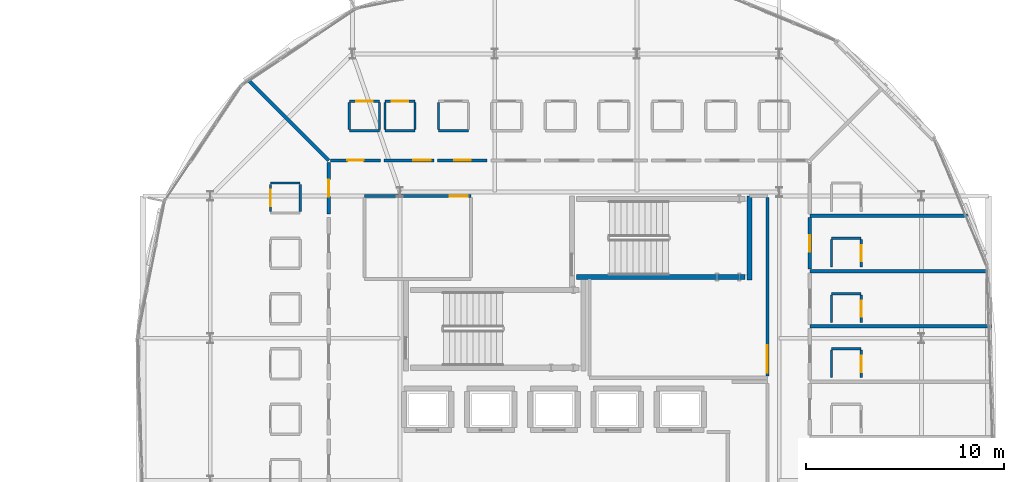
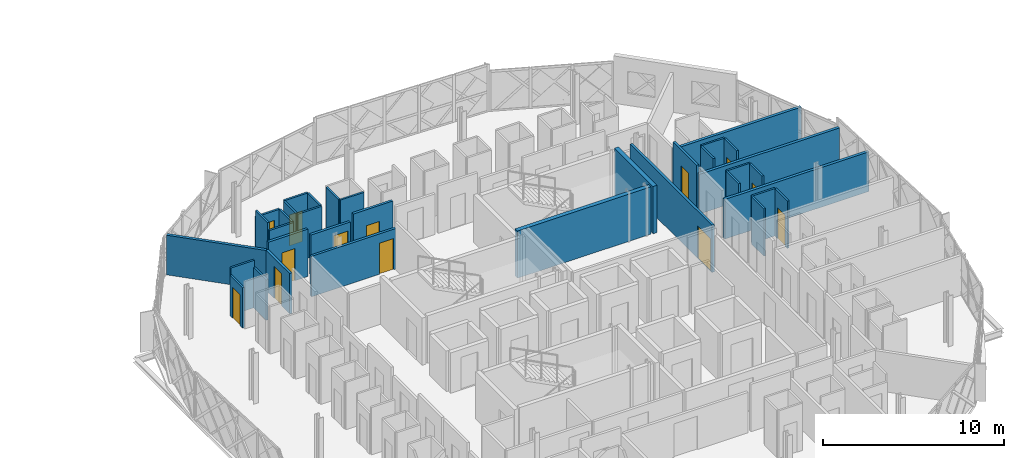
# One storey, part 19 of 26: 35 walls, 13 doors, 13 openings.
"""IFC4 building model written with IfcOpenShell, lengths in metres."""

from ifc_helpers import new_model, si_unit, direction, frame, frame_2d, origin, place, context, subcontext, project, spatial, rectangle, extrude, material, layer, layer_set, type_object, element, fill, save


model = new_model("IFC4")

# Units and contexts
model_context = context("Model", 3, precision=1e-05, world=origin(), true_north=direction((0.0, 1.0)))
body_context = subcontext(model_context, "Body", "Model", "MODEL_VIEW")
ifc_project = project(units=[si_unit("LENGTHUNIT", "METRE"), si_unit("AREAUNIT", "SQUARE_METRE"), si_unit("VOLUMEUNIT", "CUBIC_METRE"), si_unit("PLANEANGLEUNIT", "RADIAN"), si_unit("MASSUNIT", "GRAM", prefix="KILO")], contexts=[model_context])

# Site, building, storey
site_placement = place(None, origin())
site = spatial("IfcSite", under=ifc_project, at=site_placement, CompositionType="ELEMENT")
building_placement = place(site_placement, origin())
building = spatial("IfcBuilding", under=site, at=building_placement, Name="Zevrakil Square Congress Hotel", CompositionType="ELEMENT")
storey_placement = place(building_placement, frame((0.0, 0.0, 24.89990234375)))
storey = spatial("IfcBuildingStorey", under=building, at=storey_placement, Name="L07", CompositionType="ELEMENT", Elevation=24.89990234375)

# Wall, opening, door
ifc_material_1 = material(Name="Gypsum Acoustic Stud Partition")
ifc_layer_1 = layer(ifc_material_1, 0.159912109375)
ifc_layer_set_1 = layer_set([ifc_layer_1], Name="Gypsum Acoustic Stud Partition")
wall_type_1 = type_object("IfcWallType", Name="WAL-CORR-160", PredefinedType="PARTITIONING", material=ifc_layer_set_1)
wall_1_placement = place(storey_placement, frame((135.0, 38.39990234375, 0.0), z_axis=(0.0, 0.0, 1.0), x_axis=(1.0, 0.0, 0.0)))
wall_1 = element("IfcWall", 1, at=wall_1_placement, inside=storey, type_object=wall_type_1, Name="L07 interior partition PW-L07-0928", PredefinedType="PARTITIONING", context=body_context, shape_type="SweptSolid", body=[
    extrude(rectangle(XDim=5.39990234375, YDim=0.159912109375, at=frame_2d((2.699951171875, 0.0))), origin(), (0.0, 0.0, 1.0), 2.72509765625),
])
opening_1_placement = place(wall_1_placement, frame((4.320068359375, 0.0, 0.0)))
opening_1 = element("IfcOpeningElement", 2, at=opening_1_placement, cuts=wall_1, Name="Opening ID-07", PredefinedType="OPENING", context=body_context, shape_type="SweptSolid", body=[
    extrude(rectangle(XDim=0.919921875, YDim=2.10009765625, at=frame_2d((0.4599609375, 1.050048828125))), frame((0.0, 0.08984375, 0.0), z_axis=(0.0, -1.0, 0.0), x_axis=(1.0, 0.0, 0.0)), (0.0, 0.0, 1.0), 0.179931640625),
])
ifc_material_2 = material(Name="Accessible Restroom Door")
door_type_1 = type_object("IfcDoorType", Name="DOR-WC-092", OperationType="NOTDEFINED", PredefinedType="DOOR", material=ifc_material_2)
door_1_placement = place(opening_1_placement, origin())
door_1 = element("IfcDoor", 3, at=door_1_placement, inside=storey, type_object=door_type_1, Name="L07 interior door 366", OperationType="SINGLE_SWING_RIGHT", OverallHeight=2.10009765625, OverallWidth=0.919921875, PredefinedType="DOOR", context=body_context, shape_type="SweptSolid", body=[
    extrude(rectangle(XDim=0.919921875, YDim=2.10009765625, at=frame_2d((0.4599609375, 1.050048828125))), frame((0.0, 0.02490234375, 0.0), z_axis=(0.0, -1.0, 0.0), x_axis=(1.0, 0.0, 0.0)), (0.0, 0.0, 1.0), 0.050048828125),
])
fill(opening_1, door_1)

wall_2_placement = place(storey_placement, frame((155.39990234375, 29.284912109375, 0.0), z_axis=(0.0, 0.0, 1.0), x_axis=(0.0, 1.0, 0.0)))
wall_2 = element("IfcWall", 4, at=wall_2_placement, inside=storey, type_object=wall_type_1, Name="L07 interior partition PW-L07-0934", PredefinedType="PARTITIONING", context=body_context, shape_type="SweptSolid", body=[
    extrude(rectangle(XDim=9.030029296875, YDim=0.159912109375, at=frame_2d((4.51513671875, 0.0))), origin(), (0.0, 0.0, 1.0), 3.190185546875),
])
opening_2_placement = place(wall_2_placement, frame((0.159912109375, 0.0, 0.0)))
opening_2 = element("IfcOpeningElement", 5, at=opening_2_placement, cuts=wall_2, Name="Opening ID-09", PredefinedType="OPENING", context=body_context, shape_type="SweptSolid", body=[
    extrude(rectangle(XDim=1.39990234375, YDim=2.199951171875, at=frame_2d((0.699951171875, 1.10009765625))), frame((0.0, 0.08984375, 0.0), z_axis=(0.0, -1.0, 0.0), x_axis=(1.0, 0.0, 0.0)), (0.0, 0.0, 1.0), 0.179931640625),
])
ifc_material_3 = material(Name="Steel S355 Louvred Plant Fire Door", Category="steel")
door_type_2 = type_object("IfcDoorType", Name="DOR-PLANT-140", OperationType="NOTDEFINED", PredefinedType="DOOR", material=ifc_material_3)
door_2_placement = place(opening_2_placement, origin())
door_2 = element("IfcDoor", 6, at=door_2_placement, inside=storey, type_object=door_type_2, Name="L07 interior door 367", OperationType="SINGLE_SWING_LEFT", OverallHeight=2.199951171875, OverallWidth=1.39990234375, PredefinedType="DOOR", context=body_context, shape_type="SweptSolid", body=[
    extrude(rectangle(XDim=1.39990234375, YDim=2.199951171875, at=frame_2d((0.699951171875, 1.10009765625))), frame((0.0, 0.02490234375, 0.0), z_axis=(0.0, -1.0, 0.0), x_axis=(1.0, 0.0, 0.0)), (0.0, 0.0, 1.0), 0.050048828125),
])
fill(opening_2, door_2)

wall_3_placement = place(storey_placement, frame((157.550048828125, 34.695068359375, 0.0), z_axis=(0.0, 0.0, 1.0), x_axis=(0.0, 1.0, 0.0)))
wall_3 = element("IfcWall", 7, at=wall_3_placement, inside=storey, type_object=wall_type_1, Name="L07 interior partition PW-L07-1010", PredefinedType="PARTITIONING", context=body_context, shape_type="SweptSolid", body=[
    extrude(rectangle(XDim=2.60986328125, YDim=0.159912109375, at=frame_2d((1.304931640625, 0.0))), origin(), (0.0, 0.0, 1.0), 3.190185546875),
])
opening_3_placement = place(wall_3_placement, frame((0.889892578125, 0.0, 0.0)))
opening_3 = element("IfcOpeningElement", 8, at=opening_3_placement, cuts=wall_3, Name="Opening ID-G10", PredefinedType="OPENING", context=body_context, shape_type="SweptSolid", body=[
    extrude(rectangle(XDim=0.830078125, YDim=2.110107421875, at=frame_2d((0.4150390625, 1.05517578125))), frame((0.0, 0.08984375, 0.0), z_axis=(0.0, -1.0, 0.0), x_axis=(1.0, 0.0, 0.0)), (0.0, 0.0, 1.0), 0.179931640625),
])
ifc_material_4 = material(Name="Acoustic Timber Fire Door", Category="wood")
door_type_3 = type_object("IfcDoorType", Name="DOR-INT-G10", OperationType="NOTDEFINED", PredefinedType="DOOR", material=ifc_material_4)
door_3_placement = place(opening_3_placement, origin())
door_3 = element("IfcDoor", 9, at=door_3_placement, inside=storey, type_object=door_type_3, Name="L07 interior door 396", OperationType="SINGLE_SWING_RIGHT", OverallHeight=2.110107421875, OverallWidth=0.830078125, PredefinedType="DOOR", context=body_context, shape_type="SweptSolid", body=[
    extrude(rectangle(XDim=0.830078125, YDim=2.110107421875, at=frame_2d((0.4150390625, 1.05517578125))), frame((0.0, 0.02490234375, 0.0), z_axis=(0.0, -1.0, 0.0), x_axis=(1.0, 0.0, 0.0)), (0.0, 0.0, 1.0), 0.050048828125),
])
fill(opening_3, door_3)

wall_4_placement = place(storey_placement, frame((138.7060546875, 40.199951171875, 0.0), z_axis=(0.0, 0.0, 1.0), x_axis=(1.0, 0.0, 0.0)))
wall_4 = element("IfcWall", 10, at=wall_4_placement, inside=storey, type_object=wall_type_1, Name="L07 interior partition PW-L07-1050", PredefinedType="PARTITIONING", context=body_context, shape_type="SweptSolid", body=[
    extrude(rectangle(XDim=2.515625, YDim=0.159912109375, at=frame_2d((1.2578125, 0.0))), origin(), (0.0, 0.0, 1.0), 3.190185546875),
])
opening_4_placement = place(wall_4_placement, frame((0.8427734375, 0.0, 0.0)))
opening_4 = element("IfcOpeningElement", 11, at=opening_4_placement, cuts=wall_4, Name="Opening ID-G10", PredefinedType="OPENING", context=body_context, shape_type="SweptSolid", body=[
    extrude(rectangle(XDim=0.830078125, YDim=2.110107421875, at=frame_2d((0.4150390625, 1.05517578125))), frame((0.0, 0.08984375, 0.0), z_axis=(0.0, -1.0, 0.0), x_axis=(1.0, 0.0, 0.0)), (0.0, 0.0, 1.0), 0.179931640625),
])
door_4_placement = place(opening_4_placement, origin())
door_4 = element("IfcDoor", 12, at=door_4_placement, inside=storey, type_object=door_type_3, Name="L07 interior door 412", OperationType="SINGLE_SWING_RIGHT", OverallHeight=2.110107421875, OverallWidth=0.830078125, PredefinedType="DOOR", context=body_context, shape_type="SweptSolid", body=[
    extrude(rectangle(XDim=0.830078125, YDim=2.110107421875, at=frame_2d((0.4150390625, 1.05517578125))), frame((0.0, 0.02490234375, 0.0), z_axis=(0.0, -1.0, 0.0), x_axis=(1.0, 0.0, 0.0)), (0.0, 0.0, 1.0), 0.050048828125),
])
fill(opening_4, door_4)

wall_5_placement = place(storey_placement, frame((136.00048828125, 40.199951171875, 0.0), z_axis=(0.0, 0.0, 1.0), x_axis=(1.0, 0.0, 0.0)))
wall_5 = element("IfcWall", 13, at=wall_5_placement, inside=storey, type_object=wall_type_1, Name="L07 interior partition PW-L07-1055", PredefinedType="PARTITIONING", context=body_context, shape_type="SweptSolid", body=[
    extrude(rectangle(XDim=2.515625, YDim=0.159912109375, at=frame_2d((1.2578125, 0.0))), origin(), (0.0, 0.0, 1.0), 2.72509765625),
])
opening_5_placement = place(wall_5_placement, frame((1.4794921875, 0.0, 0.0)))
opening_5 = element("IfcOpeningElement", 14, at=opening_5_placement, cuts=wall_5, Name="Opening ID-H03", PredefinedType="OPENING", context=body_context, shape_type="SweptSolid", body=[
    extrude(rectangle(XDim=0.8759765625, YDim=2.159912109375, at=frame_2d((0.43798828125, 1.080078125))), frame((0.0, 0.08984375, 0.0), z_axis=(0.0, -1.0, 0.0), x_axis=(1.0, 0.0, 0.0)), (0.0, 0.0, 1.0), 0.179931640625),
])
ifc_material_5 = material(Name="Acoustic Timber Fire Door", Category="wood")
door_type_4 = type_object("IfcDoorType", Name="DOR-INT-H03", OperationType="NOTDEFINED", PredefinedType="DOOR", material=ifc_material_5)
door_5_placement = place(opening_5_placement, origin())
door_5 = element("IfcDoor", 15, at=door_5_placement, inside=storey, type_object=door_type_4, Name="L07 interior door 414", OperationType="SINGLE_SWING_RIGHT", OverallHeight=2.159912109375, OverallWidth=0.8759765625, PredefinedType="DOOR", context=body_context, shape_type="SweptSolid", body=[
    extrude(rectangle(XDim=0.8759765625, YDim=2.159912109375, at=frame_2d((0.43798828125, 1.080078125))), frame((0.0, 0.02490234375, 0.0), z_axis=(0.0, -1.0, 0.0), x_axis=(1.0, 0.0, 0.0)), (0.0, 0.0, 1.0), 0.050048828125),
])
fill(opening_5, door_5)

wall_6_placement = place(storey_placement, frame((133.294921875, 40.199951171875, 0.0), z_axis=(0.0, 0.0, 1.0), x_axis=(1.0, 0.0, 0.0)))
wall_6 = element("IfcWall", 16, at=wall_6_placement, inside=storey, type_object=wall_type_1, Name="L07 interior partition PW-L07-1060", PredefinedType="PARTITIONING", context=body_context, shape_type="SweptSolid", body=[
    extrude(rectangle(XDim=2.515625, YDim=0.159912109375, at=frame_2d((1.2578125, 0.0))), origin(), (0.0, 0.0, 1.0), 3.190185546875),
])
opening_6_placement = place(wall_6_placement, frame((0.8427734375, 0.0, 0.0)))
opening_6 = element("IfcOpeningElement", 17, at=opening_6_placement, cuts=wall_6, Name="Opening ID-G20", PredefinedType="OPENING", context=body_context, shape_type="SweptSolid", body=[
    extrude(rectangle(XDim=0.830078125, YDim=2.169921875, at=frame_2d((0.4150390625, 1.0849609375))), frame((0.0, 0.08984375, 0.0), z_axis=(0.0, -1.0, 0.0), x_axis=(1.0, 0.0, 0.0)), (0.0, 0.0, 1.0), 0.179931640625),
])
ifc_material_6 = material(Name="Acoustic Timber Fire Door", Category="wood")
door_type_5 = type_object("IfcDoorType", Name="DOR-INT-G20", OperationType="NOTDEFINED", PredefinedType="DOOR", material=ifc_material_6)
door_6_placement = place(opening_6_placement, origin())
door_6 = element("IfcDoor", 18, at=door_6_placement, inside=storey, type_object=door_type_5, Name="L07 interior door 416", OperationType="SINGLE_SWING_RIGHT", OverallHeight=2.169921875, OverallWidth=0.830078125, PredefinedType="DOOR", context=body_context, shape_type="SweptSolid", body=[
    extrude(rectangle(XDim=0.830078125, YDim=2.169921875, at=frame_2d((0.4150390625, 1.0849609375))), frame((0.0, 0.02490234375, 0.0), z_axis=(0.0, -1.0, 0.0), x_axis=(1.0, 0.0, 0.0)), (0.0, 0.0, 1.0), 0.050048828125),
])
fill(opening_6, door_6)

wall_7_placement = place(storey_placement, frame((133.199951171875, 37.4951171875, 0.0), z_axis=(0.0, 0.0, 1.0), x_axis=(0.0, 1.0, 0.0)))
wall_7 = element("IfcWall", 19, at=wall_7_placement, inside=storey, type_object=wall_type_1, Name="L07 interior partition PW-L07-1066", PredefinedType="PARTITIONING", context=body_context, shape_type="SweptSolid", body=[
    extrude(rectangle(XDim=2.60986328125, YDim=0.159912109375, at=frame_2d((1.304931640625, 0.0))), origin(), (0.0, 0.0, 1.0), 2.72509765625),
])
opening_7_placement = place(wall_7_placement, frame((0.87744140625, 0.0, 0.0)))
opening_7 = element("IfcOpeningElement", 20, at=opening_7_placement, cuts=wall_7, Name="Opening ID-G21", PredefinedType="OPENING", context=body_context, shape_type="SweptSolid", body=[
    extrude(rectangle(XDim=0.85498046875, YDim=2.169921875, at=frame_2d((0.427490234375, 1.0849609375))), frame((0.0, 0.08984375, 0.0), z_axis=(0.0, -1.0, 0.0), x_axis=(1.0, 0.0, 0.0)), (0.0, 0.0, 1.0), 0.179931640625),
])
ifc_material_7 = material(Name="Acoustic Timber Fire Door", Category="wood")
door_type_6 = type_object("IfcDoorType", Name="DOR-INT-G21", OperationType="NOTDEFINED", PredefinedType="DOOR", material=ifc_material_7)
door_7_placement = place(opening_7_placement, origin())
door_7 = element("IfcDoor", 21, at=door_7_placement, inside=storey, type_object=door_type_6, Name="L07 interior door 418", OperationType="SINGLE_SWING_RIGHT", OverallHeight=2.169921875, OverallWidth=0.85498046875, PredefinedType="DOOR", context=body_context, shape_type="SweptSolid", body=[
    extrude(rectangle(XDim=0.85498046875, YDim=2.169921875, at=frame_2d((0.427490234375, 1.0849609375))), frame((0.0, 0.02490234375, 0.0), z_axis=(0.0, -1.0, 0.0), x_axis=(1.0, 0.0, 0.0)), (0.0, 0.0, 1.0), 0.050048828125),
])
fill(opening_7, door_7)

# Walls
ifc_material_8 = material(Name="Moisture-Resistant Gypsum Partition")
ifc_layer_2 = layer(ifc_material_8, 0.1201171875)
ifc_layer_set_2 = layer_set([ifc_layer_2], Name="Moisture-Resistant Gypsum Partition")
wall_type_2 = type_object("IfcWallType", Name="WAL-ENS-120", PredefinedType="PARTITIONING", material=ifc_layer_set_2)
wall_8_placement = place(storey_placement, frame((158.64990234375, 30.659912109375, 0.0), z_axis=(0.0, 0.0, 1.0), x_axis=(1.0, 0.0, 0.0)))
element("IfcWall", 22, at=wall_8_placement, inside=storey, type_object=wall_type_2, Name="L07 interior partition PW-L07-1001", PredefinedType="PARTITIONING", context=body_context, shape_type="SweptSolid", body=[
    extrude(rectangle(XDim=1.5, YDim=0.1201171875, at=frame_2d((0.75, 0.0))), origin(), (0.0, 0.0, 1.0), 3.190185546875),
])
wall_9_placement = place(storey_placement, frame((158.64990234375, 29.205078125, 0.0), z_axis=(0.0, 0.0, 1.0), x_axis=(0.0, 1.0, 0.0)))
element("IfcWall", 23, at=wall_9_placement, inside=storey, type_object=wall_type_2, Name="L07 interior partition PW-L07-1002", PredefinedType="PARTITIONING", context=body_context, shape_type="SweptSolid", body=[
    extrude(rectangle(XDim=1.389892578125, YDim=0.1201171875, at=frame_2d((0.69482421875, 0.0))), origin(), (0.0, 0.0, 1.0), 3.190185546875),
])

# Wall, opening, door
wall_10_placement = place(storey_placement, frame((160.14990234375, 29.205078125, 0.0), z_axis=(0.0, 0.0, 1.0), x_axis=(0.0, 1.0, 0.0)))
wall_10 = element("IfcWall", 24, at=wall_10_placement, inside=storey, type_object=wall_type_2, Name="L07 interior partition PW-L07-1003", PredefinedType="PARTITIONING", context=body_context, shape_type="SweptSolid", body=[
    extrude(rectangle(XDim=1.389892578125, YDim=0.1201171875, at=frame_2d((0.69482421875, 0.0))), origin(), (0.0, 0.0, 1.0), 3.190185546875),
])
opening_8_placement = place(wall_10_placement, frame((0.284912109375, 0.0, 0.0)))
opening_8 = element("IfcOpeningElement", 25, at=opening_8_placement, cuts=wall_10, Name="Opening ID-11", PredefinedType="OPENING", context=body_context, shape_type="SweptSolid", body=[
    extrude(rectangle(XDim=0.820068359375, YDim=2.080078125, at=frame_2d((0.41015625, 1.0400390625))), frame((0.0, 0.070068359375, 0.0), z_axis=(0.0, -1.0, 0.0), x_axis=(1.0, 0.0, 0.0)), (0.0, 0.0, 1.0), 0.14013671875),
])
ifc_material_9 = material(Name="Acoustic Timber Door", Category="wood")
door_type_7 = type_object("IfcDoorType", Name="DOR-INT-V01", OperationType="NOTDEFINED", PredefinedType="DOOR", material=ifc_material_9)
door_8_placement = place(opening_8_placement, origin())
door_8 = element("IfcDoor", 26, at=door_8_placement, inside=storey, type_object=door_type_7, Name="L07 interior door 393", OperationType="SINGLE_SWING_LEFT", OverallHeight=2.080078125, OverallWidth=0.820068359375, PredefinedType="DOOR", context=body_context, shape_type="SweptSolid", body=[
    extrude(rectangle(XDim=0.820068359375, YDim=2.080078125, at=frame_2d((0.41015625, 1.0400390625))), frame((0.0, 0.02490234375, 0.0), z_axis=(0.0, -1.0, 0.0), x_axis=(1.0, 0.0, 0.0)), (0.0, 0.0, 1.0), 0.050048828125),
])
fill(opening_8, door_8)

# Walls
wall_11_placement = place(storey_placement, frame((158.64990234375, 33.4599609375, 0.0), z_axis=(0.0, 0.0, 1.0), x_axis=(1.0, 0.0, 0.0)))
element("IfcWall", 27, at=wall_11_placement, inside=storey, type_object=wall_type_2, Name="L07 interior partition PW-L07-1006", PredefinedType="PARTITIONING", context=body_context, shape_type="SweptSolid", body=[
    extrude(rectangle(XDim=1.5, YDim=0.1201171875, at=frame_2d((0.75, 0.0))), origin(), (0.0, 0.0, 1.0), 3.190185546875),
])
wall_12_placement = place(storey_placement, frame((158.64990234375, 32.0048828125, 0.0), z_axis=(0.0, 0.0, 1.0), x_axis=(0.0, 1.0, 0.0)))
element("IfcWall", 28, at=wall_12_placement, inside=storey, type_object=wall_type_2, Name="L07 interior partition PW-L07-1007", PredefinedType="PARTITIONING", context=body_context, shape_type="SweptSolid", body=[
    extrude(rectangle(XDim=1.39013671875, YDim=0.1201171875, at=frame_2d((0.695068359375, 0.0))), origin(), (0.0, 0.0, 1.0), 3.190185546875),
])

# Wall, opening, door
wall_13_placement = place(storey_placement, frame((160.14990234375, 32.0048828125, 0.0), z_axis=(0.0, 0.0, 1.0), x_axis=(0.0, 1.0, 0.0)))
wall_13 = element("IfcWall", 29, at=wall_13_placement, inside=storey, type_object=wall_type_2, Name="L07 interior partition PW-L07-1008", PredefinedType="PARTITIONING", context=body_context, shape_type="SweptSolid", body=[
    extrude(rectangle(XDim=1.39013671875, YDim=0.1201171875, at=frame_2d((0.695068359375, 0.0))), origin(), (0.0, 0.0, 1.0), 3.190185546875),
])
opening_9_placement = place(wall_13_placement, frame((0.284912109375, 0.0, 0.0)))
opening_9 = element("IfcOpeningElement", 30, at=opening_9_placement, cuts=wall_13, Name="Opening ID-11", PredefinedType="OPENING", context=body_context, shape_type="SweptSolid", body=[
    extrude(rectangle(XDim=0.820068359375, YDim=2.080078125, at=frame_2d((0.41015625, 1.0400390625))), frame((0.0, 0.070068359375, 0.0), z_axis=(0.0, -1.0, 0.0), x_axis=(1.0, 0.0, 0.0)), (0.0, 0.0, 1.0), 0.14013671875),
])
door_9_placement = place(opening_9_placement, origin())
door_9 = element("IfcDoor", 31, at=door_9_placement, inside=storey, type_object=door_type_7, Name="L07 interior door 395", OperationType="SINGLE_SWING_LEFT", OverallHeight=2.080078125, OverallWidth=0.820068359375, PredefinedType="DOOR", context=body_context, shape_type="SweptSolid", body=[
    extrude(rectangle(XDim=0.820068359375, YDim=2.080078125, at=frame_2d((0.41015625, 1.0400390625))), frame((0.0, 0.02490234375, 0.0), z_axis=(0.0, -1.0, 0.0), x_axis=(1.0, 0.0, 0.0)), (0.0, 0.0, 1.0), 0.050048828125),
])
fill(opening_9, door_9)

# Walls
wall_14_placement = place(storey_placement, frame((158.64990234375, 36.260009765625, 0.0), z_axis=(0.0, 0.0, 1.0), x_axis=(1.0, 0.0, 0.0)))
element("IfcWall", 32, at=wall_14_placement, inside=storey, type_object=wall_type_2, Name="L07 interior partition PW-L07-1011", PredefinedType="PARTITIONING", context=body_context, shape_type="SweptSolid", body=[
    extrude(rectangle(XDim=1.5, YDim=0.1201171875, at=frame_2d((0.75, 0.0))), origin(), (0.0, 0.0, 1.0), 3.190185546875),
])
wall_15_placement = place(storey_placement, frame((158.64990234375, 34.804931640625, 0.0), z_axis=(0.0, 0.0, 1.0), x_axis=(0.0, 1.0, 0.0)))
element("IfcWall", 33, at=wall_15_placement, inside=storey, type_object=wall_type_2, Name="L07 interior partition PW-L07-1012", PredefinedType="PARTITIONING", context=body_context, shape_type="SweptSolid", body=[
    extrude(rectangle(XDim=1.39013671875, YDim=0.1201171875, at=frame_2d((0.695068359375, 0.0))), origin(), (0.0, 0.0, 1.0), 3.190185546875),
])

# Wall, opening, door
wall_16_placement = place(storey_placement, frame((160.14990234375, 34.804931640625, 0.0), z_axis=(0.0, 0.0, 1.0), x_axis=(0.0, 1.0, 0.0)))
wall_16 = element("IfcWall", 34, at=wall_16_placement, inside=storey, type_object=wall_type_2, Name="L07 interior partition PW-L07-1013", PredefinedType="PARTITIONING", context=body_context, shape_type="SweptSolid", body=[
    extrude(rectangle(XDim=1.39013671875, YDim=0.1201171875, at=frame_2d((0.695068359375, 0.0))), origin(), (0.0, 0.0, 1.0), 3.190185546875),
])
opening_10_placement = place(wall_16_placement, frame((0.284912109375, 0.0, 0.0)))
opening_10 = element("IfcOpeningElement", 35, at=opening_10_placement, cuts=wall_16, Name="Opening ID-11", PredefinedType="OPENING", context=body_context, shape_type="SweptSolid", body=[
    extrude(rectangle(XDim=0.820068359375, YDim=2.080078125, at=frame_2d((0.41015625, 1.0400390625))), frame((0.0, 0.070068359375, 0.0), z_axis=(0.0, -1.0, 0.0), x_axis=(1.0, 0.0, 0.0)), (0.0, 0.0, 1.0), 0.14013671875),
])
door_10_placement = place(opening_10_placement, origin())
door_10 = element("IfcDoor", 36, at=door_10_placement, inside=storey, type_object=door_type_7, Name="L07 interior door 397", OperationType="SINGLE_SWING_LEFT", OverallHeight=2.080078125, OverallWidth=0.820068359375, PredefinedType="DOOR", context=body_context, shape_type="SweptSolid", body=[
    extrude(rectangle(XDim=0.820068359375, YDim=2.080078125, at=frame_2d((0.41015625, 1.0400390625))), frame((0.0, 0.02490234375, 0.0), z_axis=(0.0, -1.0, 0.0), x_axis=(1.0, 0.0, 0.0)), (0.0, 0.0, 1.0), 0.050048828125),
])
fill(opening_10, door_10)

# Walls
wall_17_placement = place(storey_placement, frame((138.751220703125, 41.699951171875, 0.0), z_axis=(0.0, 0.0, 1.0), x_axis=(1.0, 0.0, 0.0)))
element("IfcWall", 37, at=wall_17_placement, inside=storey, type_object=wall_type_2, Name="L07 interior partition PW-L07-1051", PredefinedType="PARTITIONING", context=body_context, shape_type="SweptSolid", body=[
    extrude(rectangle(XDim=1.519775390625, YDim=0.1201171875, at=frame_2d((0.759765625, 0.0))), origin(), (0.0, 0.0, 1.0), 3.190185546875),
])
wall_18_placement = place(storey_placement, frame((138.751220703125, 41.764892578125, 0.0), z_axis=(0.0, 0.0, 1.0), x_axis=(0.0, 1.0, 0.0)))
element("IfcWall", 38, at=wall_18_placement, inside=storey, type_object=wall_type_2, Name="L07 interior partition PW-L07-1053", PredefinedType="PARTITIONING", context=body_context, shape_type="SweptSolid", body=[
    extrude(rectangle(XDim=1.3701171875, YDim=0.1201171875, at=frame_2d((0.68505859375, 0.0))), origin(), (0.0, 0.0, 1.0), 3.190185546875),
])
wall_19_placement = place(storey_placement, frame((136.04541015625, 41.699951171875, 0.0), z_axis=(0.0, 0.0, 1.0), x_axis=(1.0, 0.0, 0.0)))
element("IfcWall", 39, at=wall_19_placement, inside=storey, type_object=wall_type_2, Name="L07 interior partition PW-L07-1056", PredefinedType="PARTITIONING", context=body_context, shape_type="SweptSolid", body=[
    extrude(rectangle(XDim=1.52001953125, YDim=0.1201171875, at=frame_2d((0.760009765625, 0.0))), origin(), (0.0, 0.0, 1.0), 3.190185546875),
])

# Wall, opening, door
wall_20_placement = place(storey_placement, frame((136.04541015625, 43.199951171875, 0.0), z_axis=(0.0, 0.0, 1.0), x_axis=(1.0, 0.0, 0.0)))
wall_20 = element("IfcWall", 40, at=wall_20_placement, inside=storey, type_object=wall_type_2, Name="L07 interior partition PW-L07-1057", PredefinedType="PARTITIONING", context=body_context, shape_type="SweptSolid", body=[
    extrude(rectangle(XDim=1.52001953125, YDim=0.1201171875, at=frame_2d((0.760009765625, 0.0))), origin(), (0.0, 0.0, 1.0), 3.190185546875),
])
opening_11_placement = place(wall_20_placement, frame((0.35009765625, 0.0, 0.0)))
opening_11 = element("IfcOpeningElement", 41, at=opening_11_placement, cuts=wall_20, Name="Opening ID-11", PredefinedType="OPENING", context=body_context, shape_type="SweptSolid", body=[
    extrude(rectangle(XDim=0.820068359375, YDim=2.080078125, at=frame_2d((0.41015625, 1.0400390625))), frame((0.0, 0.070068359375, 0.0), z_axis=(0.0, -1.0, 0.0), x_axis=(1.0, 0.0, 0.0)), (0.0, 0.0, 1.0), 0.14013671875),
])
door_11_placement = place(opening_11_placement, origin())
door_11 = element("IfcDoor", 42, at=door_11_placement, inside=storey, type_object=door_type_7, Name="L07 interior door 415", OperationType="SINGLE_SWING_LEFT", OverallHeight=2.080078125, OverallWidth=0.820068359375, PredefinedType="DOOR", context=body_context, shape_type="SweptSolid", body=[
    extrude(rectangle(XDim=0.820068359375, YDim=2.080078125, at=frame_2d((0.41015625, 1.0400390625))), frame((0.0, 0.02490234375, 0.0), z_axis=(0.0, -1.0, 0.0), x_axis=(1.0, 0.0, 0.0)), (0.0, 0.0, 1.0), 0.050048828125),
])
fill(opening_11, door_11)

# Walls
for number, where, z_axis, x_axis, name in (
    (43, (136.04541015625, 41.764892578125, 0.0), (0.0, 0.0, 1.0), (0.0, 1.0, 0.0), "L07 interior partition PW-L07-1058"),
    (44, (137.5654296875, 41.764892578125, 0.0), (0.0, 0.0, 1.0), (0.0, 1.0, 0.0), "L07 interior partition PW-L07-1059"),
):
    element("IfcWall", number, at=place(storey_placement, frame(where, z_axis=z_axis, x_axis=x_axis)), inside=storey, type_object=wall_type_2, Name=name, PredefinedType="PARTITIONING", context=body_context, shape_type="SweptSolid", body=[
        extrude(rectangle(XDim=1.3701171875, YDim=0.1201171875, at=frame_2d((0.68505859375, 0.0))), origin(), (0.0, 0.0, 1.0), 3.190185546875),
    ])
wall_21_placement = place(storey_placement, frame((134.24560546875, 41.699951171875, 0.0), z_axis=(0.0, 0.0, 1.0), x_axis=(1.0, 0.0, 0.0)))
element("IfcWall", 45, at=wall_21_placement, inside=storey, type_object=wall_type_2, Name="L07 interior partition PW-L07-1061", PredefinedType="PARTITIONING", context=body_context, shape_type="SweptSolid", body=[
    extrude(rectangle(XDim=1.52001953125, YDim=0.1201171875, at=frame_2d((0.760009765625, 0.0))), origin(), (0.0, 0.0, 1.0), 2.72509765625),
])

# Wall, opening, door
wall_22_placement = place(storey_placement, frame((134.24560546875, 43.199951171875, 0.0), z_axis=(0.0, 0.0, 1.0), x_axis=(1.0, 0.0, 0.0)))
wall_22 = element("IfcWall", 46, at=wall_22_placement, inside=storey, type_object=wall_type_2, Name="L07 interior partition PW-L07-1062", PredefinedType="PARTITIONING", context=body_context, shape_type="SweptSolid", body=[
    extrude(rectangle(XDim=1.52001953125, YDim=0.1201171875, at=frame_2d((0.760009765625, 0.0))), origin(), (0.0, 0.0, 1.0), 2.72509765625),
])
opening_12_placement = place(wall_22_placement, frame((0.35009765625, 0.0, 0.0)))
opening_12 = element("IfcOpeningElement", 47, at=opening_12_placement, cuts=wall_22, Name="Opening ID-11", PredefinedType="OPENING", context=body_context, shape_type="SweptSolid", body=[
    extrude(rectangle(XDim=0.820068359375, YDim=2.080078125, at=frame_2d((0.41015625, 1.0400390625))), frame((0.0, 0.070068359375, 0.0), z_axis=(0.0, -1.0, 0.0), x_axis=(1.0, 0.0, 0.0)), (0.0, 0.0, 1.0), 0.14013671875),
])
door_12_placement = place(opening_12_placement, origin())
door_12 = element("IfcDoor", 48, at=door_12_placement, inside=storey, type_object=door_type_7, Name="L07 interior door 417", OperationType="SINGLE_SWING_LEFT", OverallHeight=2.080078125, OverallWidth=0.820068359375, PredefinedType="DOOR", context=body_context, shape_type="SweptSolid", body=[
    extrude(rectangle(XDim=0.820068359375, YDim=2.080078125, at=frame_2d((0.41015625, 1.0400390625))), frame((0.0, 0.02490234375, 0.0), z_axis=(0.0, -1.0, 0.0), x_axis=(1.0, 0.0, 0.0)), (0.0, 0.0, 1.0), 0.050048828125),
])
fill(opening_12, door_12)

# Walls
wall_23_placement = place(storey_placement, frame((134.24560546875, 41.764892578125, 0.0), z_axis=(0.0, 0.0, 1.0), x_axis=(0.0, 1.0, 0.0)))
element("IfcWall", 49, at=wall_23_placement, inside=storey, type_object=wall_type_2, Name="L07 interior partition PW-L07-1063", PredefinedType="PARTITIONING", context=body_context, shape_type="SweptSolid", body=[
    extrude(rectangle(XDim=1.3701171875, YDim=0.1201171875, at=frame_2d((0.68505859375, 0.0))), origin(), (0.0, 0.0, 1.0), 3.190185546875),
])
wall_24_placement = place(storey_placement, frame((135.765625, 41.764892578125, 0.0), z_axis=(0.0, 0.0, 1.0), x_axis=(0.0, 1.0, 0.0)))
element("IfcWall", 50, at=wall_24_placement, inside=storey, type_object=wall_type_2, Name="L07 interior partition PW-L07-1064", PredefinedType="PARTITIONING", context=body_context, shape_type="SweptSolid", body=[
    extrude(rectangle(XDim=1.3701171875, YDim=0.1201171875, at=frame_2d((0.68505859375, 0.0))), origin(), (0.0, 0.0, 1.0), 2.72509765625),
])
wall_25_placement = place(storey_placement, frame((130.25, 39.06005859375, 0.0), z_axis=(0.0, 0.0, 1.0), x_axis=(1.0, 0.0, 0.0)))
element("IfcWall", 51, at=wall_25_placement, inside=storey, type_object=wall_type_2, Name="L07 interior partition PW-L07-1068", PredefinedType="PARTITIONING", context=body_context, shape_type="SweptSolid", body=[
    extrude(rectangle(XDim=1.5, YDim=0.1201171875, at=frame_2d((0.75, 0.0))), origin(), (0.0, 0.0, 1.0), 3.190185546875),
])

# Wall, opening, door
wall_26_placement = place(storey_placement, frame((130.25, 37.60498046875, 0.0), z_axis=(0.0, 0.0, 1.0), x_axis=(0.0, 1.0, 0.0)))
wall_26 = element("IfcWall", 52, at=wall_26_placement, inside=storey, type_object=wall_type_2, Name="L07 interior partition PW-L07-1069", PredefinedType="PARTITIONING", context=body_context, shape_type="SweptSolid", body=[
    extrude(rectangle(XDim=1.39013671875, YDim=0.1201171875, at=frame_2d((0.695068359375, 0.0))), origin(), (0.0, 0.0, 1.0), 2.72509765625),
])
opening_13_placement = place(wall_26_placement, frame((0.284912109375, 0.0, 0.0)))
opening_13 = element("IfcOpeningElement", 53, at=opening_13_placement, cuts=wall_26, Name="Opening ID-11", PredefinedType="OPENING", context=body_context, shape_type="SweptSolid", body=[
    extrude(rectangle(XDim=0.820068359375, YDim=2.080078125, at=frame_2d((0.41015625, 1.0400390625))), frame((0.0, 0.070068359375, 0.0), z_axis=(0.0, -1.0, 0.0), x_axis=(1.0, 0.0, 0.0)), (0.0, 0.0, 1.0), 0.14013671875),
])
door_13_placement = place(opening_13_placement, origin())
door_13 = element("IfcDoor", 54, at=door_13_placement, inside=storey, type_object=door_type_7, Name="L07 interior door 419", OperationType="SINGLE_SWING_LEFT", OverallHeight=2.080078125, OverallWidth=0.820068359375, PredefinedType="DOOR", context=body_context, shape_type="SweptSolid", body=[
    extrude(rectangle(XDim=0.820068359375, YDim=2.080078125, at=frame_2d((0.41015625, 1.0400390625))), frame((0.0, 0.02490234375, 0.0), z_axis=(0.0, -1.0, 0.0), x_axis=(1.0, 0.0, 0.0)), (0.0, 0.0, 1.0), 0.050048828125),
])
fill(opening_13, door_13)

# Walls
wall_27_placement = place(storey_placement, frame((131.75, 37.60498046875, 0.0), z_axis=(0.0, 0.0, 1.0), x_axis=(0.0, 1.0, 0.0)))
element("IfcWall", 55, at=wall_27_placement, inside=storey, type_object=wall_type_2, Name="L07 interior partition PW-L07-1070", PredefinedType="PARTITIONING", context=body_context, shape_type="SweptSolid", body=[
    extrude(rectangle(XDim=1.39013671875, YDim=0.1201171875, at=frame_2d((0.695068359375, 0.0))), origin(), (0.0, 0.0, 1.0), 2.72509765625),
])
ifc_material_10 = material(Name="Gypsum Twin-Stud Party Partition")
ifc_layer_3 = layer(ifc_material_10, 0.179931640625)
ifc_layer_set_3 = layer_set([ifc_layer_3], Name="Gypsum Twin-Stud Party Partition")
wall_type_3 = type_object("IfcWallType", Name="WAL-PARTY-180", PredefinedType="PARTITIONING", material=ifc_layer_set_3)
wall_28_placement = place(storey_placement, frame((157.550048828125, 31.800048828125, 0.0), z_axis=(0.0, 0.0, 1.0), x_axis=(1.0, 0.0, 0.0)))
element("IfcWall", 56, at=wall_28_placement, inside=storey, type_object=wall_type_3, Name="L07 interior partition PW-L07-1004", PredefinedType="PARTITIONING", context=body_context, shape_type="SweptSolid", body=[
    extrude(rectangle(XDim=9.208740234375, YDim=0.179931640625, at=frame_2d((4.6044921875, 0.0))), origin(), (0.0, 0.0, 1.0), 2.675048828125),
])
wall_29_placement = place(storey_placement, frame((157.550048828125, 34.60009765625, 0.0), z_axis=(0.0, 0.0, 1.0), x_axis=(1.0, 0.0, 0.0)))
element("IfcWall", 57, at=wall_29_placement, inside=storey, type_object=wall_type_3, Name="L07 interior partition PW-L07-1009", PredefinedType="PARTITIONING", context=body_context, shape_type="SweptSolid", body=[
    extrude(rectangle(XDim=8.932861328125, YDim=0.179931640625, at=frame_2d((4.46630859375, 0.0))), origin(), (0.0, 0.0, 1.0), 2.675048828125),
])
wall_30_placement = place(storey_placement, frame((157.550048828125, 37.39990234375, 0.0), z_axis=(0.0, 0.0, 1.0), x_axis=(1.0, 0.0, 0.0)))
element("IfcWall", 58, at=wall_30_placement, inside=storey, type_object=wall_type_3, Name="L07 interior partition PW-L07-1014", PredefinedType="PARTITIONING", context=body_context, shape_type="SweptSolid", body=[
    extrude(rectangle(XDim=8.1201171875, YDim=0.179931640625, at=frame_2d((4.06005859375, 0.0))), origin(), (0.0, 0.0, 1.0), 2.675048828125),
])
wall_31_placement = place(storey_placement, frame((133.199951171875, 40.199951171875, 0.0), z_axis=(0.0, 0.0, 1.0), x_axis=(-0.70708535663, 0.707128205094, 0.0)))
element("IfcWall", 59, at=wall_31_placement, inside=storey, type_object=wall_type_3, Name="L07 interior partition PW-L07-1065", PredefinedType="PARTITIONING", context=body_context, shape_type="SweptSolid", body=[
    extrude(rectangle(XDim=5.69775390625, YDim=0.179931640625, at=frame_2d((2.848876953125, 0.0))), origin(), (0.0, 0.0, 1.0), 2.675048828125),
])
ifc_material_11 = material(Name="Concrete C40/50", Category="concrete")
ifc_layer_4 = layer(ifc_material_11, 0.260009765625)
ifc_layer_set_4 = layer_set([ifc_layer_4], Name="Concrete C40/50")
wall_type_4 = type_object("IfcWallType", Name="WAL-SHAFT-260", PredefinedType="SHEAR", material=ifc_layer_set_4)
wall_32_placement = place(storey_placement, frame((154.4951171875, 34.139892578125, 0.0), z_axis=(0.0, 0.0, 1.0), x_axis=(0.0, 1.0, 0.0)))
element("IfcWall", 60, at=wall_32_placement, inside=storey, type_object=wall_type_4, Name="L07 ST03 stair shaft E wall", PredefinedType="SHEAR", context=body_context, shape_type="SweptSolid", body=[
    extrude(rectangle(XDim=4.27001953125, YDim=0.260009765625, at=frame_2d((2.135009765625, 0.0))), origin(), (0.0, 0.0, 1.0), 3.190185546875),
])
wall_33_placement = place(storey_placement, frame((145.739990234375, 34.304931640625, 0.0), z_axis=(0.0, 0.0, 1.0), x_axis=(1.0, 0.0, 0.0)))
element("IfcWall", 61, at=wall_33_placement, inside=storey, type_object=wall_type_4, Name="L07 ST03 stair shaft S wall", PredefinedType="SHEAR", context=body_context, shape_type="SweptSolid", body=[
    extrude(rectangle(XDim=8.52001953125, YDim=0.260009765625, at=frame_2d((4.260009765625, 0.0))), origin(), (0.0, 0.0, 1.0), 3.190185546875),
])

save(model, "model.ifc")
